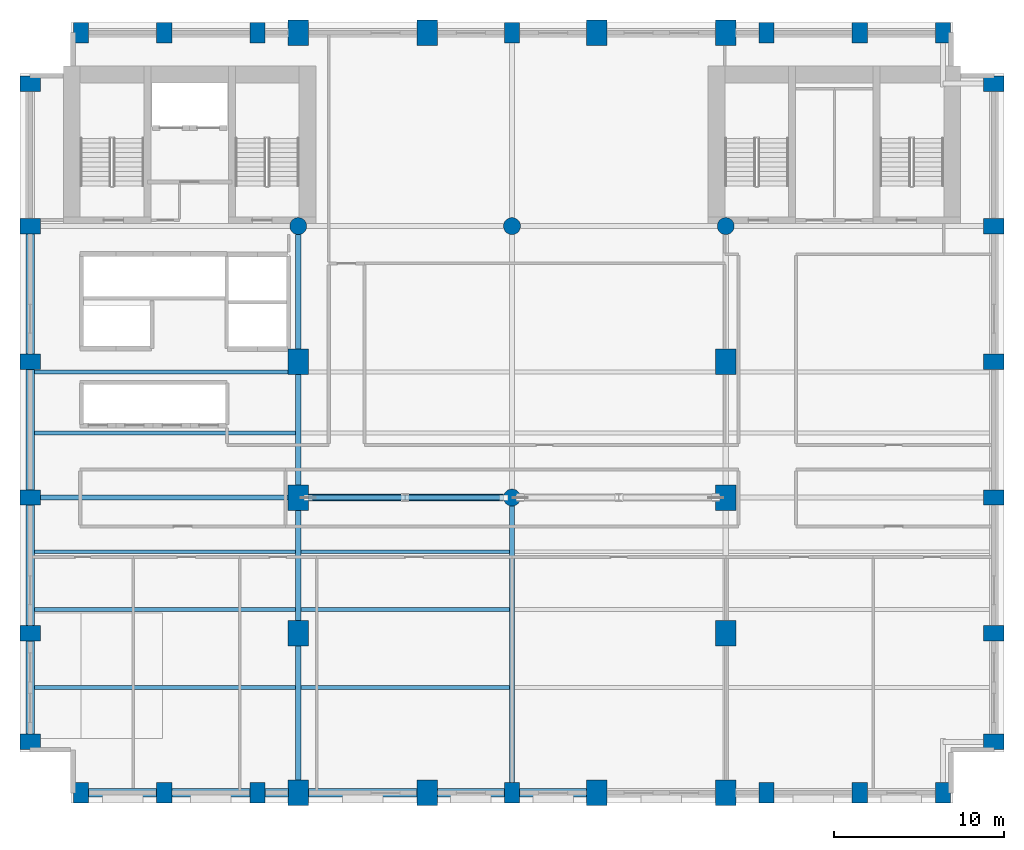
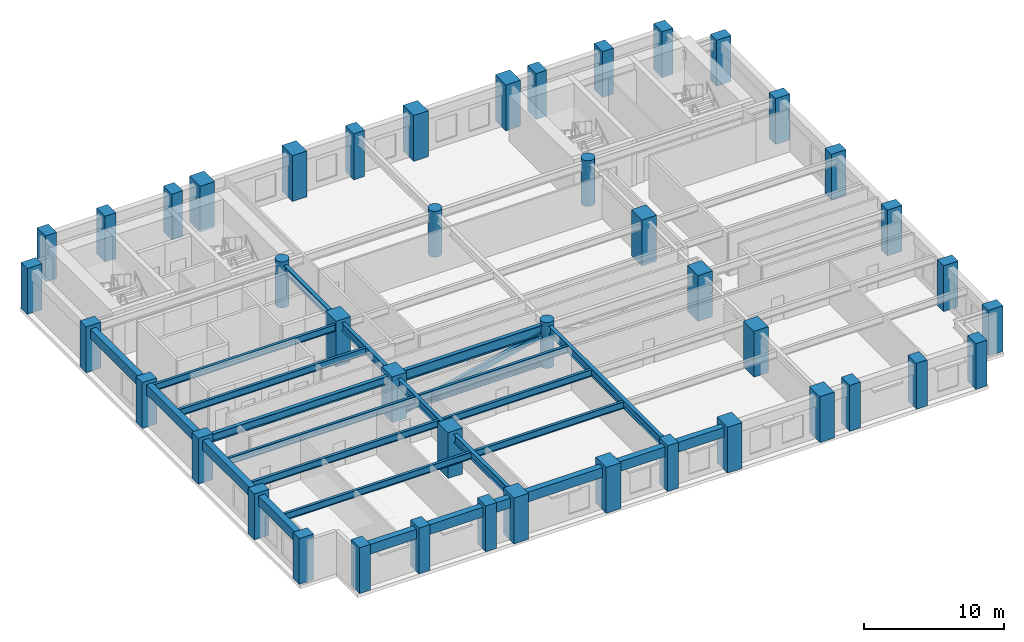
# One storey, part 1 of 11: 44 columns, 23 beams, 2 members.
"""IFC4 building model written with IfcOpenShell, lengths in metres."""

from ifc_helpers import new_model, si_unit, direction, frame, origin, origin_2d, place, context, subcontext, project, spatial, rectangle, hollow_rectangle, circle, i_section, extrude, material, material_profile, profile_set, type_object, element, save


model = new_model("IFC4")

# Units and contexts
model_context = context("Model", 3, precision=1e-05, world=origin(), true_north=direction((0.0, 1.0)))
body_context = subcontext(model_context, "Body", "Model", "MODEL_VIEW")
ifc_project = project(units=[si_unit("LENGTHUNIT", "METRE"), si_unit("AREAUNIT", "SQUARE_METRE"), si_unit("VOLUMEUNIT", "CUBIC_METRE"), si_unit("PLANEANGLEUNIT", "RADIAN"), si_unit("MASSUNIT", "GRAM", prefix="KILO")], contexts=[model_context])

# Site, building, storey
site_placement = place(None, origin())
site = spatial("IfcSite", under=ifc_project, at=site_placement, CompositionType="ELEMENT")
building_placement = place(site_placement, origin())
building = spatial("IfcBuilding", under=site, at=building_placement, Name="Sulina Concourse Tower", CompositionType="ELEMENT")
storey_placement = place(building_placement, frame((0.0, 0.0, 46.60009765625)))
storey = spatial("IfcBuildingStorey", under=building, at=storey_placement, Name="L11", CompositionType="ELEMENT", Elevation=46.60009765625)

# Columns
ifc_material_1 = material(Name="Concrete C60/75", Category="concrete")
ifc_material_profile_1 = material_profile(ifc_material_1, circle(Radius=0.5, at=origin_2d()), Name="RC D1000")
ifc_profile_set_1 = profile_set([ifc_material_profile_1], Name="Concrete C60/75")
column_type_1 = type_object("IfcColumnType", Name="Lower Interior Circular Column D1000", PredefinedType="COLUMN", material=ifc_profile_set_1)
for number, where, z_axis, x_axis, name in (
    (1, (16.39990234375, 34.0, 0.0), (0.0, 0.0, 1.0), (1.0, 0.0, 0.0), "L11 structural column IC-N-164"),
    (2, (29.0, 18.0, 0.0), (0.0, 0.0, 1.0), (1.0, 0.0, 0.0), "L11 structural column IC-M-290"),
    (3, (29.0, 34.0, 0.0), (0.0, 0.0, 1.0), (1.0, 0.0, 0.0), "L11 structural column IC-N-290"),
    (4, (41.60009765625, 34.0, 0.0), (0.0, 0.0, 1.0), (1.0, 0.0, 0.0), "L11 structural column IC-N-416"),
):
    element("IfcColumn", number, at=place(storey_placement, frame(where, z_axis=z_axis, x_axis=x_axis)), inside=storey, type_object=column_type_1, Name=name, PredefinedType="COLUMN", context=body_context, shape_type="SweptSolid", body=[
        extrude(circle(Radius=0.5, at=origin_2d()), origin(), (0.0, 0.0, 1.0), 4.0),
    ])
ifc_material_2 = material(Name="Concrete C80/95", Category="concrete")
ifc_material_profile_2 = material_profile(ifc_material_2, rectangle(XDim=1.199951171875, YDim=1.5, at=origin_2d()), Name="RC 1200x1500")
ifc_profile_set_2 = profile_set([ifc_material_profile_2], Name="Concrete C80/95")
column_type_2 = type_object("IfcColumnType", Name="Lower Portal End-Leg Column 1200x1500", PredefinedType="COLUMN", material=ifc_profile_set_2)
for number, where, z_axis, x_axis, name in (
    (5, (16.39990234375, 0.60009765625, 0.0), (0.0, 0.0, 1.0), (1.0, 0.0, 0.0), "L11 structural column TP-S-164"),
    (6, (16.39990234375, 45.39990234375, 0.0), (0.0, 0.0, 1.0), (1.0, 0.0, 0.0), "L11 structural column TP-N-164"),
    (7, (24.0, 0.60009765625, 0.0), (0.0, 0.0, 1.0), (1.0, 0.0, 0.0), "L11 structural column TP-S-240"),
    (8, (24.0, 45.39990234375, 0.0), (0.0, 0.0, 1.0), (1.0, 0.0, 0.0), "L11 structural column TP-N-240"),
    (9, (34.0, 0.60009765625, 0.0), (0.0, 0.0, 1.0), (1.0, 0.0, 0.0), "L11 structural column TP-S-340"),
    (10, (34.0, 45.39990234375, 0.0), (0.0, 0.0, 1.0), (1.0, 0.0, 0.0), "L11 structural column TP-N-340"),
    (11, (41.60009765625, 0.60009765625, 0.0), (0.0, 0.0, 1.0), (1.0, 0.0, 0.0), "L11 structural column TP-S-416"),
    (12, (41.60009765625, 45.39990234375, 0.0), (0.0, 0.0, 1.0), (1.0, 0.0, 0.0), "L11 structural column TP-N-416"),
    (13, (16.39990234375, 10.0, 0.0), (0.0, 0.0, 1.0), (1.0, 0.0, 0.0), "L11 structural column LP-FW-10"),
    (14, (41.60009765625, 10.0, 0.0), (0.0, 0.0, 1.0), (1.0, 0.0, 0.0), "L11 structural column LP-FE-10"),
    (15, (16.39990234375, 18.0, 0.0), (0.0, 0.0, 1.0), (1.0, 0.0, 0.0), "L11 structural column LP-FW-18"),
    (16, (41.60009765625, 18.0, 0.0), (0.0, 0.0, 1.0), (1.0, 0.0, 0.0), "L11 structural column LP-FE-18"),
    (17, (16.39990234375, 26.0, 0.0), (0.0, 0.0, 1.0), (1.0, 0.0, 0.0), "L11 structural column LP-FW-26"),
    (18, (41.60009765625, 26.0, 0.0), (0.0, 0.0, 1.0), (1.0, 0.0, 0.0), "L11 structural column LP-FE-26"),
):
    element("IfcColumn", number, at=place(storey_placement, frame(where, z_axis=z_axis, x_axis=x_axis)), inside=storey, type_object=column_type_2, Name=name, PredefinedType="COLUMN", context=body_context, shape_type="SweptSolid", body=[
        extrude(rectangle(XDim=1.199951171875, YDim=1.5, at=origin_2d()), origin(), (0.0, 0.0, 1.0), 4.0),
    ])
ifc_material_3 = material(Name="Precast concrete C60/75", Category="concrete")
ifc_material_profile_3 = material_profile(ifc_material_3, rectangle(XDim=0.89990234375, YDim=1.199951171875, at=origin_2d()), Name="PC 900x1200")
ifc_profile_set_3 = profile_set([ifc_material_profile_3], Name="Precast concrete C60/75")
column_type_3 = type_object("IfcColumnType", Name="Precast Tube Pier Zone 1 900x1200", PredefinedType="COLUMN", material=ifc_profile_set_3)
for number, where, z_axis, x_axis, name in (
    (19, (3.60009765625, 0.60009765625, 0.0), (0.0, 0.0, 1.0), (1.0, 0.0, 0.0), "L11 structural column TP-S-36"),
    (20, (3.60009765625, 45.39990234375, 0.0), (0.0, 0.0, 1.0), (1.0, 0.0, 0.0), "L11 structural column TP-N-36"),
    (21, (8.5, 0.60009765625, 0.0), (0.0, 0.0, 1.0), (1.0, 0.0, 0.0), "L11 structural column TP-S-85"),
    (22, (8.5, 45.39990234375, 0.0), (0.0, 0.0, 1.0), (1.0, 0.0, 0.0), "L11 structural column TP-N-85"),
    (23, (14.0, 0.60009765625, 0.0), (0.0, 0.0, 1.0), (1.0, 0.0, 0.0), "L11 structural column TP-S-140"),
    (24, (14.0, 45.39990234375, 0.0), (0.0, 0.0, 1.0), (1.0, 0.0, 0.0), "L11 structural column TP-N-140"),
    (25, (29.0, 0.60009765625, 0.0), (0.0, 0.0, 1.0), (1.0, 0.0, 0.0), "L11 structural column TP-S-290"),
    (26, (29.0, 45.39990234375, 0.0), (0.0, 0.0, 1.0), (1.0, 0.0, 0.0), "L11 structural column TP-N-290"),
    (27, (44.0, 0.60009765625, 0.0), (0.0, 0.0, 1.0), (1.0, 0.0, 0.0), "L11 structural column TP-S-440"),
    (28, (44.0, 45.39990234375, 0.0), (0.0, 0.0, 1.0), (1.0, 0.0, 0.0), "L11 structural column TP-N-440"),
    (29, (49.5, 0.60009765625, 0.0), (0.0, 0.0, 1.0), (1.0, 0.0, 0.0), "L11 structural column TP-S-495"),
    (30, (49.5, 45.39990234375, 0.0), (0.0, 0.0, 1.0), (1.0, 0.0, 0.0), "L11 structural column TP-N-495"),
    (31, (54.39990234375, 0.60009765625, 0.0), (0.0, 0.0, 1.0), (1.0, 0.0, 0.0), "L11 structural column TP-S-544"),
    (32, (54.39990234375, 45.39990234375, 0.0), (0.0, 0.0, 1.0), (1.0, 0.0, 0.0), "L11 structural column TP-N-544"),
    (33, (0.60009765625, 3.60009765625, 0.0), (0.0, 0.0, 1.0), (0.0, 1.0, 0.0), "L11 structural column TP-W-36"),
    (34, (57.39990234375, 3.60009765625, 0.0), (0.0, 0.0, 1.0), (0.0, 1.0, 0.0), "L11 structural column TP-E-36"),
    (35, (0.60009765625, 10.0, 0.0), (0.0, 0.0, 1.0), (0.0, 1.0, 0.0), "L11 structural column TP-W-100"),
    (36, (57.39990234375, 10.0, 0.0), (0.0, 0.0, 1.0), (0.0, 1.0, 0.0), "L11 structural column TP-E-100"),
    (37, (0.60009765625, 18.0, 0.0), (0.0, 0.0, 1.0), (0.0, 1.0, 0.0), "L11 structural column TP-W-180"),
    (38, (57.39990234375, 18.0, 0.0), (0.0, 0.0, 1.0), (0.0, 1.0, 0.0), "L11 structural column TP-E-180"),
    (39, (0.60009765625, 26.0, 0.0), (0.0, 0.0, 1.0), (0.0, 1.0, 0.0), "L11 structural column TP-W-260"),
    (40, (57.39990234375, 26.0, 0.0), (0.0, 0.0, 1.0), (0.0, 1.0, 0.0), "L11 structural column TP-E-260"),
    (41, (0.60009765625, 34.0, 0.0), (0.0, 0.0, 1.0), (0.0, 1.0, 0.0), "L11 structural column TP-W-340"),
    (42, (57.39990234375, 34.0, 0.0), (0.0, 0.0, 1.0), (0.0, 1.0, 0.0), "L11 structural column TP-E-340"),
    (43, (0.60009765625, 42.39990234375, 0.0), (0.0, 0.0, 1.0), (0.0, 1.0, 0.0), "L11 structural column TP-W-424"),
    (44, (57.39990234375, 42.39990234375, 0.0), (0.0, 0.0, 1.0), (0.0, 1.0, 0.0), "L11 structural column TP-E-424"),
):
    element("IfcColumn", number, at=place(storey_placement, frame(where, z_axis=z_axis, x_axis=x_axis)), inside=storey, type_object=column_type_3, Name=name, PredefinedType="COLUMN", context=body_context, shape_type="SweptSolid", body=[
        extrude(rectangle(XDim=0.89990234375, YDim=1.199951171875, at=origin_2d()), origin(), (0.0, 0.0, 1.0), 4.0),
    ])

# Beams
ifc_material_4 = material(Name="Steel S355", Category="steel")
ifc_material_profile_4 = material_profile(ifc_material_4, i_section(OverallWidth=0.219970703125, OverallDepth=0.60009765625, WebThickness=0.011962890625, FlangeThickness=0.01904296875, at=origin_2d()), Name="IPE 600")
ifc_profile_set_4 = profile_set([ifc_material_profile_4], Name="Steel S355")
beam_type_1 = type_object("IfcBeamType", Name="Composite Floor Joist IPE600", PredefinedType="JOIST", material=ifc_profile_set_4)
beam_1_placement = place(storey_placement, frame((0.85009765625, 6.800048828125, 3.39990234375), z_axis=(1.0, 0.0, 0.0), x_axis=(0.0, 1.0, 0.0)))
element("IfcBeam", 45, at=beam_1_placement, inside=storey, type_object=beam_type_1, Name="FJ-J06-1-L11", PredefinedType="JOIST", context=body_context, shape_type="SweptSolid", body=[
    extrude(i_section(OverallWidth=0.219970703125, OverallDepth=0.60009765625, WebThickness=0.011962890625, FlangeThickness=0.01904296875, at=origin_2d()), origin(), (0.0, 0.0, 1.0), 15.39990234375),
])
beam_2_placement = place(storey_placement, frame((16.550048828125, 6.800048828125, 3.39990234375), z_axis=(1.0, 0.0, 0.0), x_axis=(0.0, 1.0, 0.0)))
element("IfcBeam", 46, at=beam_2_placement, inside=storey, type_object=beam_type_1, Name="FJ-J06-2-L11", PredefinedType="JOIST", context=body_context, shape_type="SweptSolid", body=[
    extrude(i_section(OverallWidth=0.219970703125, OverallDepth=0.60009765625, WebThickness=0.011962890625, FlangeThickness=0.01904296875, at=origin_2d()), origin(), (0.0, 0.0, 1.0), 12.300048828125),
])
beam_3_placement = place(storey_placement, frame((0.85009765625, 11.39990234375, 3.39990234375), z_axis=(1.0, 0.0, 0.0), x_axis=(0.0, 1.0, 0.0)))
element("IfcBeam", 47, at=beam_3_placement, inside=storey, type_object=beam_type_1, Name="FJ-J11-1-L11", PredefinedType="JOIST", context=body_context, shape_type="SweptSolid", body=[
    extrude(i_section(OverallWidth=0.219970703125, OverallDepth=0.60009765625, WebThickness=0.011962890625, FlangeThickness=0.01904296875, at=origin_2d()), origin(), (0.0, 0.0, 1.0), 15.39990234375),
])
beam_4_placement = place(storey_placement, frame((16.550048828125, 11.39990234375, 3.39990234375), z_axis=(1.0, 0.0, 0.0), x_axis=(0.0, 1.0, 0.0)))
element("IfcBeam", 48, at=beam_4_placement, inside=storey, type_object=beam_type_1, Name="FJ-J11-2-L11", PredefinedType="JOIST", context=body_context, shape_type="SweptSolid", body=[
    extrude(i_section(OverallWidth=0.219970703125, OverallDepth=0.60009765625, WebThickness=0.011962890625, FlangeThickness=0.01904296875, at=origin_2d()), origin(), (0.0, 0.0, 1.0), 12.300048828125),
])
beam_5_placement = place(storey_placement, frame((0.85009765625, 14.800048828125, 3.39990234375), z_axis=(1.0, 0.0, 0.0), x_axis=(0.0, 1.0, 0.0)))
element("IfcBeam", 49, at=beam_5_placement, inside=storey, type_object=beam_type_1, Name="FJ-J15-1-L11", PredefinedType="JOIST", context=body_context, shape_type="SweptSolid", body=[
    extrude(i_section(OverallWidth=0.219970703125, OverallDepth=0.60009765625, WebThickness=0.011962890625, FlangeThickness=0.01904296875, at=origin_2d()), origin(), (0.0, 0.0, 1.0), 15.39990234375),
])
beam_6_placement = place(storey_placement, frame((16.550048828125, 14.800048828125, 3.39990234375), z_axis=(1.0, 0.0, 0.0), x_axis=(0.0, 1.0, 0.0)))
element("IfcBeam", 50, at=beam_6_placement, inside=storey, type_object=beam_type_1, Name="FJ-J15-2-L11", PredefinedType="JOIST", context=body_context, shape_type="SweptSolid", body=[
    extrude(i_section(OverallWidth=0.219970703125, OverallDepth=0.60009765625, WebThickness=0.011962890625, FlangeThickness=0.01904296875, at=origin_2d()), origin(), (0.0, 0.0, 1.0), 12.300048828125),
])
for number, where, z_axis, x_axis, name in (
    (51, (0.85009765625, 21.800048828125, 3.39990234375), (1.0, 0.0, 0.0), (0.0, 1.0, 0.0), "FJ-J22-1-L11"),
    (52, (0.85009765625, 25.39990234375, 3.39990234375), (1.0, 0.0, 0.0), (0.0, 1.0, 0.0), "FJ-J25-1-L11"),
):
    element("IfcBeam", number, at=place(storey_placement, frame(where, z_axis=z_axis, x_axis=x_axis)), inside=storey, type_object=beam_type_1, Name=name, PredefinedType="JOIST", context=body_context, shape_type="SweptSolid", body=[
        extrude(i_section(OverallWidth=0.219970703125, OverallDepth=0.60009765625, WebThickness=0.011962890625, FlangeThickness=0.01904296875, at=origin_2d()), origin(), (0.0, 0.0, 1.0), 15.39990234375),
    ])
ifc_material_5 = material(Name="Steel S355", Category="steel")
ifc_material_profile_5 = material_profile(ifc_material_5, i_section(OverallWidth=0.300048828125, OverallDepth=0.699951171875, WebThickness=0.01708984375, FlangeThickness=0.031982421875, at=origin_2d()), Name="HE 700 B")
ifc_profile_set_5 = profile_set([ifc_material_profile_5], Name="Steel S355")
beam_type_2 = type_object("IfcBeamType", Name="Floor Primary Girder Zone 1 HE700B", PredefinedType="BEAM", material=ifc_profile_set_5)
beam_7_placement = place(storey_placement, frame((1.030029296875, 18.0, 3.349853515625), z_axis=(1.0, 0.0, 0.0), x_axis=(0.0, 1.0, 0.0)))
element("IfcBeam", 53, at=beam_7_placement, inside=storey, type_object=beam_type_2, Name="FG-EW1-L11", PredefinedType="BEAM", context=body_context, shape_type="SweptSolid", body=[
    extrude(i_section(OverallWidth=0.300048828125, OverallDepth=0.699951171875, WebThickness=0.01708984375, FlangeThickness=0.031982421875, at=origin_2d()), origin(), (0.0, 0.0, 1.0), 14.7900390625),
])
beam_8_placement = place(storey_placement, frame((16.39990234375, 1.179931640625, 3.349853515625), z_axis=(0.0, 1.0, 0.0), x_axis=(-1.0, 0.0, 0.0)))
element("IfcBeam", 54, at=beam_8_placement, inside=storey, type_object=beam_type_2, Name="FG-NSA-16-L11", PredefinedType="BEAM", context=body_context, shape_type="SweptSolid", body=[
    extrude(i_section(OverallWidth=0.300048828125, OverallDepth=0.699951171875, WebThickness=0.01708984375, FlangeThickness=0.031982421875, at=origin_2d()), origin(), (0.0, 0.0, 1.0), 16.239990234375),
])
beam_9_placement = place(storey_placement, frame((16.39990234375, 18.580078125, 3.349853515625), z_axis=(0.0, 1.0, 0.0), x_axis=(-1.0, 0.0, 0.0)))
element("IfcBeam", 55, at=beam_9_placement, inside=storey, type_object=beam_type_2, Name="FG-NSB-16-L11", PredefinedType="BEAM", context=body_context, shape_type="SweptSolid", body=[
    extrude(i_section(OverallWidth=0.300048828125, OverallDepth=0.699951171875, WebThickness=0.01708984375, FlangeThickness=0.031982421875, at=origin_2d()), origin(), (0.0, 0.0, 1.0), 14.93994140625),
])
beam_10_placement = place(storey_placement, frame((29.0, 1.030029296875, 3.349853515625), z_axis=(0.0, 1.0, 0.0), x_axis=(-1.0, 0.0, 0.0)))
element("IfcBeam", 56, at=beam_10_placement, inside=storey, type_object=beam_type_2, Name="FG-NSA-29-L11", PredefinedType="BEAM", context=body_context, shape_type="SweptSolid", body=[
    extrude(i_section(OverallWidth=0.300048828125, OverallDepth=0.699951171875, WebThickness=0.01708984375, FlangeThickness=0.031982421875, at=origin_2d()), origin(), (0.0, 0.0, 1.0), 16.489990234375),
])

# Members
ifc_material_6 = material(Name="Steel S355", Category="steel")
ifc_material_profile_6 = material_profile(ifc_material_6, i_section(OverallWidth=0.412109375, OverallDepth=0.449951171875, WebThickness=0.041015625, FlangeThickness=0.068115234375, at=origin_2d()), Name="HD 400x509")
ifc_profile_set_6 = profile_set([ifc_material_profile_6], Name="Steel S355")
member_type_1 = type_object("IfcMemberType", Name="Lower Bridge Truss Chord HD400x509", PredefinedType="CHORD", material=ifc_profile_set_6)
member_1_placement = place(storey_placement, frame((16.989990234375, 18.0, 0.369873046875), z_axis=(1.0, 0.0, 0.0), x_axis=(0.0, 1.0, 0.0)))
element("IfcMember", 57, at=member_1_placement, inside=storey, type_object=member_type_1, Name="LBT-CH-1-L11", PredefinedType="CHORD", context=body_context, shape_type="SweptSolid", body=[
    extrude(i_section(OverallWidth=0.412109375, OverallDepth=0.449951171875, WebThickness=0.041015625, FlangeThickness=0.068115234375, at=origin_2d()), origin(), (0.0, 0.0, 1.0), 11.52001953125),
])
ifc_material_7 = material(Name="Steel S355", Category="steel")
ifc_material_profile_7 = material_profile(ifc_material_7, hollow_rectangle(XDim=0.300048828125, YDim=0.5, WallThickness=0.02001953125, at=origin_2d()), Name="RHS 500x300x20")
ifc_profile_set_7 = profile_set([ifc_material_profile_7], Name="Steel S355")
member_type_2 = type_object("IfcMemberType", Name="Lower Portal Bridge Diagonal RHS500x300x20", PredefinedType="BRACE", material=ifc_profile_set_7)
member_2_placement = place(storey_placement, frame((16.989990234375, 18.0, 0.119873046875), z_axis=(0.973992032443, 0.0, 0.226582260419), x_axis=(0.0, 1.0, 0.0)))
element("IfcMember", 58, at=member_2_placement, inside=storey, type_object=member_type_2, Name="LBT-DG-1-L11", PredefinedType="BRACE", context=body_context, shape_type="SweptSolid", body=[
    extrude(hollow_rectangle(XDim=0.300048828125, YDim=0.5, WallThickness=0.02001953125, at=origin_2d()), origin(), (0.0, 0.0, 1.0), 11.82763671875),
])

# Beams
ifc_material_8 = material(Name="Steel S355", Category="steel")
ifc_material_profile_8 = material_profile(ifc_material_8, i_section(OverallWidth=0.302001953125, OverallDepth=0.909912109375, WebThickness=0.02099609375, FlangeThickness=0.0400390625, at=origin_2d()), Name="HE 900 M")
ifc_profile_set_8 = profile_set([ifc_material_profile_8], Name="Steel S355")
beam_type_3 = type_object("IfcBeamType", Name="Lower Portal Bridge Girder HE900M", PredefinedType="BEAM", material=ifc_profile_set_8)
beam_11_placement = place(storey_placement, frame((16.97998046875, 18.0, 3.244873046875), z_axis=(1.0, 0.0, 0.0), x_axis=(0.0, 1.0, 0.0)))
element("IfcBeam", 59, at=beam_11_placement, inside=storey, type_object=beam_type_3, Name="FG-EW2-L11", PredefinedType="BEAM", context=body_context, shape_type="SweptSolid", body=[
    extrude(i_section(OverallWidth=0.302001953125, OverallDepth=0.909912109375, WebThickness=0.02099609375, FlangeThickness=0.0400390625, at=origin_2d()), origin(), (0.0, 0.0, 1.0), 11.5400390625),
])
ifc_material_9 = material(Name="Precast concrete C50/60", Category="concrete")
ifc_material_profile_9 = material_profile(ifc_material_9, rectangle(XDim=0.5, YDim=0.85009765625, at=origin_2d()), Name="RC 500x850")
ifc_profile_set_9 = profile_set([ifc_material_profile_9], Name="Precast concrete C50/60")
beam_type_4 = type_object("IfcBeamType", Name="Lower Precast Spandrel Edge Beam 500x850", PredefinedType="BEAM", material=ifc_profile_set_9)
beam_12_placement = place(storey_placement, frame((4.030029296875, 0.60009765625, 3.27490234375), z_axis=(1.0, 0.0, 0.0), x_axis=(0.0, 1.0, 0.0)))
element("IfcBeam", 60, at=beam_12_placement, inside=storey, type_object=beam_type_4, Name="SP-S1-L11", PredefinedType="BEAM", context=body_context, shape_type="SweptSolid", body=[
    extrude(rectangle(XDim=0.5, YDim=0.85009765625, at=origin_2d()), origin(), (0.0, 0.0, 1.0), 4.0400390625),
])
beam_13_placement = place(storey_placement, frame((8.929931640625, 0.60009765625, 3.27490234375), z_axis=(1.0, 0.0, 0.0), x_axis=(0.0, 1.0, 0.0)))
element("IfcBeam", 61, at=beam_13_placement, inside=storey, type_object=beam_type_4, Name="SP-S2-L11", PredefinedType="BEAM", context=body_context, shape_type="SweptSolid", body=[
    extrude(rectangle(XDim=0.5, YDim=0.85009765625, at=origin_2d()), origin(), (0.0, 0.0, 1.0), 4.64013671875),
])
beam_14_placement = place(storey_placement, frame((14.429931640625, 0.60009765625, 3.27490234375), z_axis=(1.0, 0.0, 0.0), x_axis=(0.0, 1.0, 0.0)))
element("IfcBeam", 62, at=beam_14_placement, inside=storey, type_object=beam_type_4, Name="SP-S3-L11", PredefinedType="BEAM", context=body_context, shape_type="SweptSolid", body=[
    extrude(rectangle(XDim=0.5, YDim=0.85009765625, at=origin_2d()), origin(), (0.0, 0.0, 1.0), 1.39013671875),
])
beam_15_placement = place(storey_placement, frame((16.97998046875, 0.60009765625, 3.27490234375), z_axis=(1.0, 0.0, 0.0), x_axis=(0.0, 1.0, 0.0)))
element("IfcBeam", 63, at=beam_15_placement, inside=storey, type_object=beam_type_4, Name="SP-S4-L11", PredefinedType="BEAM", context=body_context, shape_type="SweptSolid", body=[
    extrude(rectangle(XDim=0.5, YDim=0.85009765625, at=origin_2d()), origin(), (0.0, 0.0, 1.0), 6.43994140625),
])
for number, where, z_axis, x_axis, name in (
    (64, (24.580078125, 0.60009765625, 3.27490234375), (1.0, 0.0, 0.0), (0.0, 1.0, 0.0), "SP-S5-L11"),
    (65, (29.429931640625, 0.60009765625, 3.27490234375), (1.0, 0.0, 0.0), (0.0, 1.0, 0.0), "SP-S6-L11"),
):
    element("IfcBeam", number, at=place(storey_placement, frame(where, z_axis=z_axis, x_axis=x_axis)), inside=storey, type_object=beam_type_4, Name=name, PredefinedType="BEAM", context=body_context, shape_type="SweptSolid", body=[
        extrude(rectangle(XDim=0.5, YDim=0.85009765625, at=origin_2d()), origin(), (0.0, 0.0, 1.0), 3.989990234375),
    ])
beam_16_placement = place(storey_placement, frame((0.60009765625, 4.030029296875, 3.27490234375), z_axis=(0.0, 1.0, 0.0), x_axis=(-1.0, 0.0, 0.0)))
element("IfcBeam", 66, at=beam_16_placement, inside=storey, type_object=beam_type_4, Name="SP-W1-L11", PredefinedType="BEAM", context=body_context, shape_type="SweptSolid", body=[
    extrude(rectangle(XDim=0.5, YDim=0.85009765625, at=origin_2d()), origin(), (0.0, 0.0, 1.0), 5.5400390625),
])
for number, where, z_axis, x_axis, name in (
    (67, (0.60009765625, 10.429931640625, 3.27490234375), (0.0, 1.0, 0.0), (-1.0, 0.0, 0.0), "SP-W2-L11"),
    (68, (0.60009765625, 18.429931640625, 3.27490234375), (0.0, 1.0, 0.0), (-1.0, 0.0, 0.0), "SP-W3-L11"),
    (69, (0.60009765625, 26.429931640625, 3.27490234375), (0.0, 1.0, 0.0), (-1.0, 0.0, 0.0), "SP-W4-L11"),
):
    element("IfcBeam", number, at=place(storey_placement, frame(where, z_axis=z_axis, x_axis=x_axis)), inside=storey, type_object=beam_type_4, Name=name, PredefinedType="BEAM", context=body_context, shape_type="SweptSolid", body=[
        extrude(rectangle(XDim=0.5, YDim=0.85009765625, at=origin_2d()), origin(), (0.0, 0.0, 1.0), 7.14013671875),
    ])

save(model, "model.ifc")
